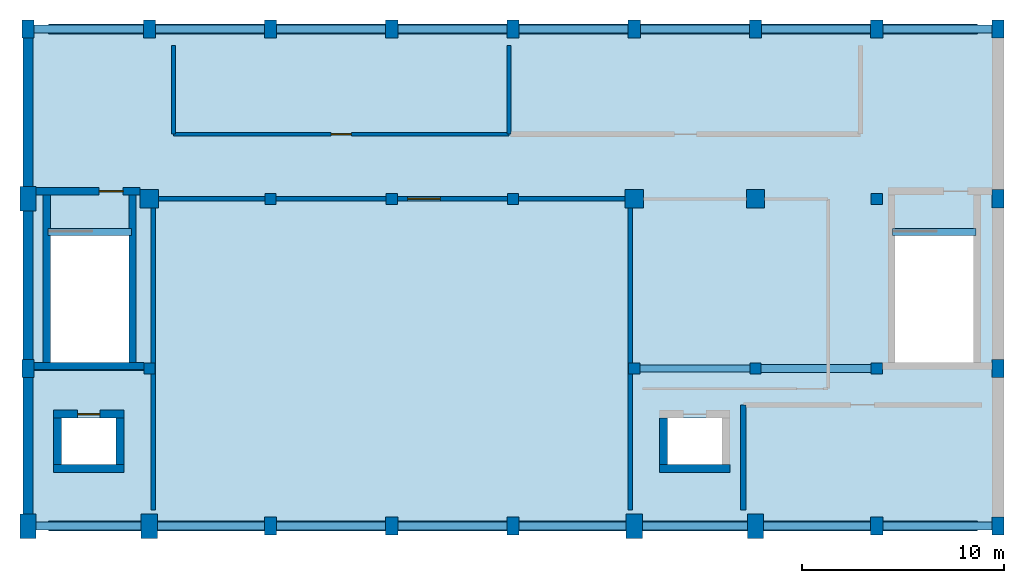
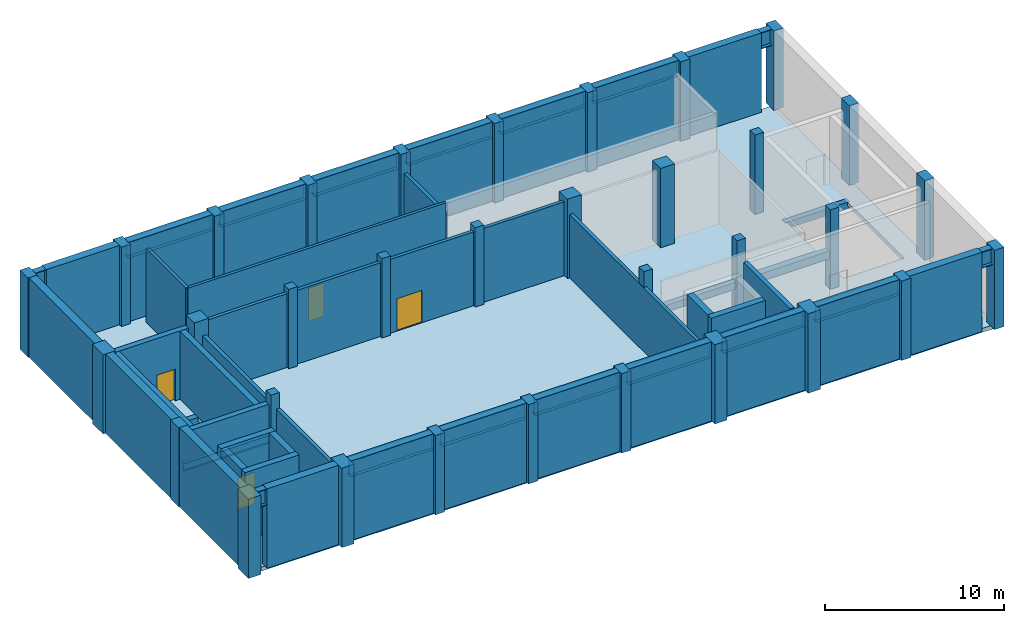
# One storey, part 1 of 3: 33 columns, 21 beams, 20 walls, 4 doors, 1 slab, 4 openings.
"""IFC4 building model written with IfcOpenShell, lengths in metres."""

from ifc_helpers import new_model, si_unit, direction, frame, frame_2d, origin, origin_2d, place, context, subcontext, project, spatial, polyline, rectangle, i_section, outline, extrude, material, layer, layer_set, material_profile, profile_set, type_object, element, fill, save


model = new_model("IFC4")

# Units and contexts
model_context = context("Model", 3, precision=1e-05, world=origin(), true_north=direction((0.0, 1.0)))
body_context = subcontext(model_context, "Body", "Model", "MODEL_VIEW")
ifc_project = project(units=[si_unit("LENGTHUNIT", "METRE"), si_unit("AREAUNIT", "SQUARE_METRE"), si_unit("VOLUMEUNIT", "CUBIC_METRE"), si_unit("PLANEANGLEUNIT", "RADIAN"), si_unit("MASSUNIT", "GRAM", prefix="KILO")], contexts=[model_context])

# Site, building, storey
site_placement = place(None, origin())
site = spatial("IfcSite", under=ifc_project, at=site_placement, CompositionType="ELEMENT")
building_placement = place(site_placement, origin())
building = spatial("IfcBuilding", under=site, at=building_placement, Name="Vaelkrest Opera House", CompositionType="ELEMENT")
storey_placement = place(building_placement, frame((0.0, 0.0, 36.0)))
storey = spatial("IfcBuildingStorey", under=building, at=storey_placement, Name="L07", CompositionType="ELEMENT", Elevation=36.0)

# Columns
ifc_material_1 = material(Name="Concrete C50/60", Category="concrete")
ifc_material_profile_1 = material_profile(ifc_material_1, rectangle(XDim=0.89990234375, YDim=0.89990234375, at=origin_2d()), Name="RC900X900")
ifc_profile_set_1 = profile_set([ifc_material_profile_1], Name="Concrete C50/60")
column_type_1 = type_object("IfcColumnType", Name="C05", PredefinedType="COLUMN", material=ifc_profile_set_1)
for number, where, z_axis, x_axis, name in (
    (1, (-12.0, 33.60009765625, 0.0), (0.0, 0.0, 1.0), (1.0, 0.0, 0.0), "Column COL-V2-L07-0797"),
    (2, (12.0, 33.60009765625, 0.0), (0.0, 0.0, 1.0), (1.0, 0.0, 0.0), "Column COL-V2-L07-0810"),
    (3, (18.0, 33.60009765625, 0.0), (0.0, 0.0, 1.0), (1.0, 0.0, 0.0), "Column COL-V2-L07-0814"),
):
    element("IfcColumn", number, at=place(storey_placement, frame(where, z_axis=z_axis, x_axis=x_axis)), inside=storey, type_object=column_type_1, Name=name, PredefinedType="COLUMN", context=body_context, shape_type="SweptSolid", body=[
        extrude(rectangle(XDim=0.89990234375, YDim=0.89990234375, at=origin_2d()), origin(), (0.0, 0.0, 1.0), 5.39990234375),
    ])
ifc_material_profile_2 = material_profile(ifc_material_1, rectangle(XDim=0.60009765625, YDim=0.89990234375, at=origin_2d()), Name="RC600X900")
ifc_profile_set_2 = profile_set([ifc_material_profile_2], Name="Concrete C50/60")
column_type_2 = type_object("IfcColumnType", Name="C06", PredefinedType="COLUMN", material=ifc_profile_set_2)
for number, where, z_axis, x_axis, name in (
    (4, (-18.0, 25.199951171875, 0.0), (0.0, 0.0, 1.0), (1.0, 0.0, 0.0), "Column COL-V2-L07-0792"),
    (5, (-18.0, 42.0, 0.0), (0.0, 0.0, 1.0), (1.0, 0.0, 0.0), "Column COL-V2-L07-0794"),
    (6, (-12.0, 42.0, 0.0), (0.0, 0.0, 1.0), (1.0, 0.0, 0.0), "Column COL-V2-L07-0798"),
    (7, (-6.0, 17.39990234375, 0.0), (0.0, 0.0, 1.0), (1.0, 0.0, 0.0), "Column COL-V2-L07-0799"),
    (8, (-6.0, 42.0, 0.0), (0.0, 0.0, 1.0), (1.0, 0.0, 0.0), "Column COL-V2-L07-0801"),
    (9, (0.0, 17.39990234375, 0.0), (0.0, 0.0, 1.0), (1.0, 0.0, 0.0), "Column COL-V2-L07-0802"),
    (10, (0.0, 42.0, 0.0), (0.0, 0.0, 1.0), (1.0, 0.0, 0.0), "Column COL-V2-L07-0804"),
    (11, (6.0, 17.39990234375, 0.0), (0.0, 0.0, 1.0), (1.0, 0.0, 0.0), "Column COL-V2-L07-0805"),
    (12, (6.0, 42.0, 0.0), (0.0, 0.0, 1.0), (1.0, 0.0, 0.0), "Column COL-V2-L07-0807"),
    (13, (12.0, 42.0, 0.0), (0.0, 0.0, 1.0), (1.0, 0.0, 0.0), "Column COL-V2-L07-0811"),
    (14, (18.0, 42.0, 0.0), (0.0, 0.0, 1.0), (1.0, 0.0, 0.0), "Column COL-V2-L07-0815"),
    (15, (24.0, 17.39990234375, 0.0), (0.0, 0.0, 1.0), (1.0, 0.0, 0.0), "Column COL-V2-L07-0816"),
    (16, (24.0, 42.0, 0.0), (0.0, 0.0, 1.0), (1.0, 0.0, 0.0), "Column COL-V2-L07-0819"),
    (17, (30.0, 17.39990234375, 0.0), (0.0, 0.0, 1.0), (1.0, 0.0, 0.0), "Column COL-V2-L07-0820"),
    (18, (30.0, 25.199951171875, 0.0), (0.0, 0.0, 1.0), (1.0, 0.0, 0.0), "Column COL-V2-L07-0821"),
    (19, (30.0, 33.60009765625, 0.0), (0.0, 0.0, 1.0), (1.0, 0.0, 0.0), "Column COL-V2-L07-0822"),
    (20, (30.0, 42.0, 0.0), (0.0, 0.0, 1.0), (1.0, 0.0, 0.0), "Column COL-V2-L07-0823"),
):
    element("IfcColumn", number, at=place(storey_placement, frame(where, z_axis=z_axis, x_axis=x_axis)), inside=storey, type_object=column_type_2, Name=name, PredefinedType="COLUMN", context=body_context, shape_type="SweptSolid", body=[
        extrude(rectangle(XDim=0.60009765625, YDim=0.89990234375, at=origin_2d()), origin(), (0.0, 0.0, 1.0), 5.39990234375),
    ])
ifc_material_profile_3 = material_profile(ifc_material_1, rectangle(XDim=0.800048828125, YDim=1.199951171875, at=origin_2d()), Name="RC800X1200")
ifc_profile_set_3 = profile_set([ifc_material_profile_3], Name="Concrete C50/60")
column_type_3 = type_object("IfcColumnType", Name="C08", PredefinedType="COLUMN", material=ifc_profile_set_3)
for number, where, z_axis, x_axis, name in (
    (21, (-18.0, 17.39990234375, 0.0), (0.0, 0.0, 1.0), (1.0, 0.0, 0.0), "Column COL-V2-L07-0791"),
    (22, (-18.0, 33.60009765625, 0.0), (0.0, 0.0, 1.0), (1.0, 0.0, 0.0), "Column COL-V2-L07-0793"),
    (23, (-12.0, 17.39990234375, 0.0), (0.0, 0.0, 1.0), (1.0, 0.0, 0.0), "Column COL-V2-L07-0795"),
    (24, (12.0, 17.39990234375, 0.0), (0.0, 0.0, 1.0), (1.0, 0.0, 0.0), "Column COL-V2-L07-0808"),
    (25, (18.0, 17.39990234375, 0.0), (0.0, 0.0, 1.0), (1.0, 0.0, 0.0), "Column COL-V2-L07-0812"),
):
    element("IfcColumn", number, at=place(storey_placement, frame(where, z_axis=z_axis, x_axis=x_axis)), inside=storey, type_object=column_type_3, Name=name, PredefinedType="COLUMN", context=body_context, shape_type="SweptSolid", body=[
        extrude(rectangle(XDim=0.800048828125, YDim=1.199951171875, at=origin_2d()), origin(), (0.0, 0.0, 1.0), 5.39990234375),
    ])
ifc_material_profile_4 = material_profile(ifc_material_1, rectangle(XDim=0.550048828125, YDim=0.550048828125, at=origin_2d()), Name="RC550X550")
ifc_profile_set_4 = profile_set([ifc_material_profile_4], Name="Concrete C50/60")
column_type_4 = type_object("IfcColumnType", Name="C13", PredefinedType="COLUMN", material=ifc_profile_set_4)
for number, where, z_axis, x_axis, name in (
    (26, (-12.0, 25.199951171875, 0.0), (0.0, 0.0, 1.0), (1.0, 0.0, 0.0), "Column COL-V2-L07-0796"),
    (27, (-6.0, 33.60009765625, 0.0), (0.0, 0.0, 1.0), (1.0, 0.0, 0.0), "Column COL-V2-L07-0800"),
    (28, (0.0, 33.60009765625, 0.0), (0.0, 0.0, 1.0), (1.0, 0.0, 0.0), "Column COL-V2-L07-0803"),
    (29, (6.0, 33.60009765625, 0.0), (0.0, 0.0, 1.0), (1.0, 0.0, 0.0), "Column COL-V2-L07-0806"),
    (30, (12.0, 25.199951171875, 0.0), (0.0, 0.0, 1.0), (1.0, 0.0, 0.0), "Column COL-V2-L07-0809"),
    (31, (18.0, 25.199951171875, 0.0), (0.0, 0.0, 1.0), (1.0, 0.0, 0.0), "Column COL-V2-L07-0813"),
    (32, (24.0, 25.199951171875, 0.0), (0.0, 0.0, 1.0), (1.0, 0.0, 0.0), "Column COL-V2-L07-0817"),
    (33, (24.0, 33.60009765625, 0.0), (0.0, 0.0, 1.0), (1.0, 0.0, 0.0), "Column COL-V2-L07-0818"),
):
    element("IfcColumn", number, at=place(storey_placement, frame(where, z_axis=z_axis, x_axis=x_axis)), inside=storey, type_object=column_type_4, Name=name, PredefinedType="COLUMN", context=body_context, shape_type="SweptSolid", body=[
        extrude(rectangle(XDim=0.550048828125, YDim=0.550048828125, at=origin_2d()), origin(), (0.0, 0.0, 1.0), 5.39990234375),
    ])

# Beams
ifc_material_profile_5 = material_profile(ifc_material_1, rectangle(XDim=0.35009765625, YDim=0.449951171875, at=origin_2d()), Name="RCB350X450")
ifc_profile_set_5 = profile_set([ifc_material_profile_5], Name="Concrete C50/60")
beam_type_1 = type_object("IfcBeamType", Name="LN01", PredefinedType="LINTEL", material=ifc_profile_set_5)
beam_1_placement = place(storey_placement, frame((12.25, 25.199951171875, 2.300048828125), z_axis=(1.0, 0.0, 0.0), x_axis=(0.0, 1.0, 0.0)))
element("IfcBeam", 34, at=beam_1_placement, inside=storey, type_object=beam_type_1, Name="Portal lintel L07-1", PredefinedType="LINTEL", context=body_context, shape_type="SweptSolid", body=[
    extrude(rectangle(XDim=0.35009765625, YDim=0.449951171875, at=origin_2d()), origin(), (0.0, 0.0, 1.0), 5.5),
])
beam_2_placement = place(storey_placement, frame((-17.02001953125, 31.949951171875, -0.22509765625), z_axis=(1.0, 0.0, 0.0), x_axis=(0.0, 1.0, 0.0)))
element("IfcBeam", 35, at=beam_2_placement, inside=storey, type_object=beam_type_1, Name="Stairwell trimmer beam ST05 L07", PredefinedType="LINTEL", context=body_context, shape_type="SweptSolid", body=[
    extrude(rectangle(XDim=0.35009765625, YDim=0.449951171875, at=origin_2d()), origin(), (0.0, 0.0, 1.0), 4.14013671875),
])
beam_3_placement = place(storey_placement, frame((24.780029296875, 31.949951171875, -0.22509765625), z_axis=(1.0, 0.0, 0.0), x_axis=(0.0, 1.0, 0.0)))
element("IfcBeam", 36, at=beam_3_placement, inside=storey, type_object=beam_type_1, Name="Stairwell trimmer beam ST06 L07", PredefinedType="LINTEL", context=body_context, shape_type="SweptSolid", body=[
    extrude(rectangle(XDim=0.35009765625, YDim=0.449951171875, at=origin_2d()), origin(), (0.0, 0.0, 1.0), 4.139892578125),
])
ifc_material_profile_6 = material_profile(ifc_material_1, rectangle(XDim=0.39990234375, YDim=0.52001953125, at=origin_2d()), Name="RCB400X520")
ifc_profile_set_6 = profile_set([ifc_material_profile_6], Name="Concrete C50/60")
beam_type_2 = type_object("IfcBeamType", Name="LN02", PredefinedType="LINTEL", material=ifc_profile_set_6)
beam_4_placement = place(storey_placement, frame((18.25, 25.199951171875, 2.300048828125), z_axis=(1.0, 0.0, 0.0), x_axis=(0.0, 1.0, 0.0)))
element("IfcBeam", 37, at=beam_4_placement, inside=storey, type_object=beam_type_2, Name="Portal lintel L07-2", PredefinedType="LINTEL", context=body_context, shape_type="SweptSolid", body=[
    extrude(rectangle(XDim=0.39990234375, YDim=0.52001953125, at=origin_2d()), origin(), (0.0, 0.0, 1.0), 5.5),
])
ifc_material_2 = material(Name="Steel A992 Gr50", Category="steel")
ifc_material_profile_7 = material_profile(ifc_material_2, i_section(OverallWidth=0.214111328125, OverallDepth=0.549072265625, WebThickness=0.0146484375, FlangeThickness=0.023681640625, at=origin_2d()), Name="W21X93")
ifc_profile_set_7 = profile_set([ifc_material_profile_7], Name="Steel A992 Gr50")
beam_type_3 = type_object("IfcBeamType", Name="LN03", PredefinedType="LINTEL", material=ifc_profile_set_7)
beam_5_placement = place(storey_placement, frame((-17.75, 25.199951171875, 2.300048828125), z_axis=(1.0, 0.0, 0.0), x_axis=(0.0, 1.0, 0.0)))
element("IfcBeam", 38, at=beam_5_placement, inside=storey, type_object=beam_type_3, Name="Portal lintel L07-3", PredefinedType="LINTEL", context=body_context, shape_type="SweptSolid", body=[
    extrude(i_section(OverallWidth=0.214111328125, OverallDepth=0.549072265625, WebThickness=0.0146484375, FlangeThickness=0.023681640625, at=origin_2d()), origin(), (0.0, 0.0, 1.0), 5.5),
])
ifc_material_profile_8 = material_profile(ifc_material_2, i_section(OverallWidth=0.405029296875, OverallDepth=1.117919921875, WebThickness=0.02587890625, FlangeThickness=0.044921875, at=origin_2d()), Name="W44X335")
ifc_profile_set_8 = profile_set([ifc_material_profile_8], Name="Steel A992 Gr50")
beam_type_4 = type_object("IfcBeamType", Name="SP05", PredefinedType="SPANDREL", material=ifc_profile_set_8)
beam_6_placement = place(storey_placement, frame((-17.60009765625, 17.39990234375, 4.821044921875), z_axis=(1.0, 0.0, 0.0), x_axis=(0.0, 1.0, 0.0)))
element("IfcBeam", 39, at=beam_6_placement, inside=storey, type_object=beam_type_4, Name="Beam BM-V2-L07-1262", PredefinedType="SPANDREL", context=body_context, shape_type="SweptSolid", body=[
    extrude(i_section(OverallWidth=0.405029296875, OverallDepth=1.117919921875, WebThickness=0.02587890625, FlangeThickness=0.044921875, at=origin_2d()), origin(), (0.0, 0.0, 1.0), 5.2001953125),
])
beam_7_placement = place(storey_placement, frame((-11.60009765625, 17.39990234375, 4.821044921875), z_axis=(1.0, 0.0, 0.0), x_axis=(0.0, 1.0, 0.0)))
element("IfcBeam", 40, at=beam_7_placement, inside=storey, type_object=beam_type_4, Name="Beam BM-V2-L07-1263", PredefinedType="SPANDREL", context=body_context, shape_type="SweptSolid", body=[
    extrude(i_section(OverallWidth=0.405029296875, OverallDepth=1.117919921875, WebThickness=0.02587890625, FlangeThickness=0.044921875, at=origin_2d()), origin(), (0.0, 0.0, 1.0), 5.300048828125),
])
for number, where, z_axis, x_axis, name in (
    (41, (-5.699951171875, 17.39990234375, 4.821044921875), (1.0, 0.0, 0.0), (0.0, 1.0, 0.0), "Beam BM-V2-L07-1264"),
    (42, (0.300048828125, 17.39990234375, 4.821044921875), (1.0, 0.0, 0.0), (0.0, 1.0, 0.0), "Beam BM-V2-L07-1265"),
):
    element("IfcBeam", number, at=place(storey_placement, frame(where, z_axis=z_axis, x_axis=x_axis)), inside=storey, type_object=beam_type_4, Name=name, PredefinedType="SPANDREL", context=body_context, shape_type="SweptSolid", body=[
        extrude(i_section(OverallWidth=0.405029296875, OverallDepth=1.117919921875, WebThickness=0.02587890625, FlangeThickness=0.044921875, at=origin_2d()), origin(), (0.0, 0.0, 1.0), 5.39990234375),
    ])
beam_8_placement = place(storey_placement, frame((6.300048828125, 17.39990234375, 4.821044921875), z_axis=(1.0, 0.0, 0.0), x_axis=(0.0, 1.0, 0.0)))
element("IfcBeam", 43, at=beam_8_placement, inside=storey, type_object=beam_type_4, Name="Beam BM-V2-L07-1266", PredefinedType="SPANDREL", context=body_context, shape_type="SweptSolid", body=[
    extrude(i_section(OverallWidth=0.405029296875, OverallDepth=1.117919921875, WebThickness=0.02587890625, FlangeThickness=0.044921875, at=origin_2d()), origin(), (0.0, 0.0, 1.0), 5.300048828125),
])
beam_9_placement = place(storey_placement, frame((12.39990234375, 17.39990234375, 4.821044921875), z_axis=(1.0, 0.0, 0.0), x_axis=(0.0, 1.0, 0.0)))
element("IfcBeam", 44, at=beam_9_placement, inside=storey, type_object=beam_type_4, Name="Beam BM-V2-L07-1267", PredefinedType="SPANDREL", context=body_context, shape_type="SweptSolid", body=[
    extrude(i_section(OverallWidth=0.405029296875, OverallDepth=1.117919921875, WebThickness=0.02587890625, FlangeThickness=0.044921875, at=origin_2d()), origin(), (0.0, 0.0, 1.0), 5.2001953125),
])
beam_10_placement = place(storey_placement, frame((18.39990234375, 17.39990234375, 4.821044921875), z_axis=(1.0, 0.0, 0.0), x_axis=(0.0, 1.0, 0.0)))
element("IfcBeam", 45, at=beam_10_placement, inside=storey, type_object=beam_type_4, Name="Beam BM-V2-L07-1268", PredefinedType="SPANDREL", context=body_context, shape_type="SweptSolid", body=[
    extrude(i_section(OverallWidth=0.405029296875, OverallDepth=1.117919921875, WebThickness=0.02587890625, FlangeThickness=0.044921875, at=origin_2d()), origin(), (0.0, 0.0, 1.0), 5.300048828125),
])
for number, where, z_axis, x_axis, name in (
    (46, (24.300048828125, 17.39990234375, 4.821044921875), (1.0, 0.0, 0.0), (0.0, 1.0, 0.0), "Beam BM-V2-L07-1269"),
    (47, (-17.699951171875, 42.0, 4.821044921875), (1.0, 0.0, 0.0), (0.0, 1.0, 0.0), "Beam BM-V2-L07-1270"),
    (48, (-11.699951171875, 42.0, 4.821044921875), (1.0, 0.0, 0.0), (0.0, 1.0, 0.0), "Beam BM-V2-L07-1271"),
    (49, (-5.699951171875, 42.0, 4.821044921875), (1.0, 0.0, 0.0), (0.0, 1.0, 0.0), "Beam BM-V2-L07-1272"),
    (50, (0.300048828125, 42.0, 4.821044921875), (1.0, 0.0, 0.0), (0.0, 1.0, 0.0), "Beam BM-V2-L07-1273"),
    (51, (6.300048828125, 42.0, 4.821044921875), (1.0, 0.0, 0.0), (0.0, 1.0, 0.0), "Beam BM-V2-L07-1274"),
    (52, (12.300048828125, 42.0, 4.821044921875), (1.0, 0.0, 0.0), (0.0, 1.0, 0.0), "Beam BM-V2-L07-1275"),
    (53, (18.300048828125, 42.0, 4.821044921875), (1.0, 0.0, 0.0), (0.0, 1.0, 0.0), "Beam BM-V2-L07-1276"),
    (54, (24.300048828125, 42.0, 4.821044921875), (1.0, 0.0, 0.0), (0.0, 1.0, 0.0), "Beam BM-V2-L07-1277"),
):
    element("IfcBeam", number, at=place(storey_placement, frame(where, z_axis=z_axis, x_axis=x_axis)), inside=storey, type_object=beam_type_4, Name=name, PredefinedType="SPANDREL", context=body_context, shape_type="SweptSolid", body=[
        extrude(i_section(OverallWidth=0.405029296875, OverallDepth=1.117919921875, WebThickness=0.02587890625, FlangeThickness=0.044921875, at=origin_2d()), origin(), (0.0, 0.0, 1.0), 5.39990234375),
    ])

# Slab
ifc_material_3 = material(Name="Concrete C40/50", Category="concrete")
ifc_layer_1 = layer(ifc_material_3, 0.264892578125)
ifc_layer_set_1 = layer_set([ifc_layer_1], Name="Concrete C40/50")
slab_type = type_object("IfcSlabType", Name="FS02", PredefinedType="FLOOR", material=ifc_layer_set_1)
slab_placement = place(storey_placement, frame((0.0, 0.0, -0.264892578125)))
element("IfcSlab", 55, at=slab_placement, inside=storey, type_object=slab_type, Name="Floor slab SLB-V2-L07-017", PredefinedType="FLOOR", context=body_context, shape_type="SweptSolid", body=[
    extrude(outline(polyline([(-18.0, 17.39990234375), (30.0, 17.39990234375), (30.0, 42.0), (-18.0, 42.0), (-18.0, 17.39990234375)]), holes=[polyline([(-16.89990234375, 31.949951171875), (-16.89990234375, 25.5), (-13.0, 25.5), (-13.0, 31.949951171875), (-16.89990234375, 31.949951171875)]), polyline([(24.89990234375, 31.949951171875), (24.89990234375, 25.5), (28.800048828125, 25.5), (28.800048828125, 31.949951171875), (24.89990234375, 31.949951171875)]), polyline([(-16.35009765625, 20.449951171875), (-13.64990234375, 20.449951171875), (-13.64990234375, 22.75), (-16.35009765625, 22.75), (-16.35009765625, 20.449951171875)]), polyline([(13.64990234375, 20.449951171875), (16.35009765625, 20.449951171875), (16.35009765625, 22.75), (13.64990234375, 22.75), (13.64990234375, 20.449951171875)])]), origin(), (0.0, 0.0, 1.0), 0.264892578125),
])

# Wall, opening, door
ifc_material_4 = material(Name="Gypsum acoustic board", Category="gypsum")
ifc_layer_2 = layer(ifc_material_4, 0.179931640625)
ifc_layer_set_2 = layer_set([ifc_layer_2], Name="Gypsum acoustic board")
wall_type_1 = type_object("IfcWallType", Name="PT05", PredefinedType="PARTITIONING", material=ifc_layer_set_2)
wall_1_placement = place(storey_placement, frame((-10.800048828125, 36.800048828125, 0.0), z_axis=(0.0, 0.0, 1.0), x_axis=(1.0, 0.0, 0.0)))
wall_1 = element("IfcWall", 56, at=wall_1_placement, inside=storey, type_object=wall_type_1, Name="Interior partition PT-V2-L07-0257", PredefinedType="PARTITIONING", context=body_context, shape_type="SweptSolid", body=[
    extrude(rectangle(XDim=16.60009765625, YDim=0.179931640625, at=frame_2d((8.300048828125, 0.0))), origin(), (0.0, 0.0, 1.0), 5.02001953125),
])
opening_1_placement = place(wall_1_placement, frame((7.800048828125, 0.0, 0.0)))
opening_1 = element("IfcOpeningElement", 57, at=opening_1_placement, cuts=wall_1, Name="Opening D099", PredefinedType="OPENING", context=body_context, shape_type="SweptSolid", body=[
    extrude(rectangle(XDim=1.0, YDim=2.25, at=frame_2d((0.5, 1.125))), frame((0.0, 0.099853515625, 0.0), z_axis=(0.0, -1.0, 0.0), x_axis=(1.0, 0.0, 0.0)), (0.0, 0.0, 1.0), 0.199951171875),
])
ifc_material_5 = material(Name="American black walnut acoustic timber", Category="wood")
door_type_1 = type_object("IfcDoorType", Name="DT10", OperationType="NOTDEFINED", PredefinedType="DOOR", material=ifc_material_5)
door_1_placement = place(opening_1_placement, origin())
door_1 = element("IfcDoor", 58, at=door_1_placement, inside=storey, type_object=door_type_1, Name="Interior door D099 (Acoustic Plenum)", OperationType="SINGLE_SWING_RIGHT", OverallHeight=2.25, OverallWidth=1.0, PredefinedType="DOOR", context=body_context, shape_type="SweptSolid", body=[
    extrude(rectangle(XDim=1.0, YDim=2.25, at=frame_2d((0.5, 1.125))), frame((0.0, 0.02490234375, 0.0), z_axis=(0.0, -1.0, 0.0), x_axis=(1.0, 0.0, 0.0)), (0.0, 0.0, 1.0), 0.050048828125),
])
fill(opening_1, door_1)

# Wall
ifc_layer_3 = layer(ifc_material_4, 0.195068359375)
ifc_layer_set_3 = layer_set([ifc_layer_3], Name="Gypsum acoustic board")
wall_type_2 = type_object("IfcWallType", Name="PT06", PredefinedType="PARTITIONING", material=ifc_layer_set_3)
wall_2_placement = place(storey_placement, frame((-10.800048828125, 36.800048828125, 0.0), z_axis=(0.0, 0.0, 1.0), x_axis=(0.0, 1.0, 0.0)))
element("IfcWall", 59, at=wall_2_placement, inside=storey, type_object=wall_type_2, Name="Interior partition PT-V2-L07-0258", PredefinedType="PARTITIONING", context=body_context, shape_type="SweptSolid", body=[
    extrude(rectangle(XDim=4.39990234375, YDim=0.195068359375, at=frame_2d((2.199951171875, 0.0))), origin(), (0.0, 0.0, 1.0), 5.02001953125),
])

# Wall, opening, door
ifc_layer_4 = layer(ifc_material_5, 0.2099609375)
ifc_layer_set_4 = layer_set([ifc_layer_4], Name="American black walnut acoustic timber")
wall_type_3 = type_object("IfcWallType", Name="PT07", PredefinedType="PARTITIONING", material=ifc_layer_set_4)
wall_3_placement = place(storey_placement, frame((-11.800048828125, 33.60009765625, 0.0), z_axis=(0.0, 0.0, 1.0), x_axis=(1.0, 0.0, 0.0)))
wall_3 = element("IfcWall", 60, at=wall_3_placement, inside=storey, type_object=wall_type_3, Name="Interior partition PT-V2-L07-0251", PredefinedType="PARTITIONING", context=body_context, shape_type="SweptSolid", body=[
    extrude(rectangle(XDim=23.60009765625, YDim=0.2099609375, at=frame_2d((11.800048828125, 0.0))), origin(), (0.0, 0.0, 1.0), 5.02001953125),
])
opening_2_placement = place(wall_3_placement, frame((12.590087890625, 0.0, 0.0)))
opening_2 = element("IfcOpeningElement", 61, at=opening_2_placement, cuts=wall_3, Name="Opening D097", PredefinedType="OPENING", context=body_context, shape_type="SweptSolid", body=[
    extrude(rectangle(XDim=1.6201171875, YDim=2.199951171875, at=frame_2d((0.81005859375, 1.10009765625))), frame((0.0, 0.114990234375, 0.0), z_axis=(0.0, -1.0, 0.0), x_axis=(1.0, 0.0, 0.0)), (0.0, 0.0, 1.0), 0.22998046875),
])
door_type_2 = type_object("IfcDoorType", Name="DT19", OperationType="DOUBLE_DOOR_SINGLE_SWING", PredefinedType="DOOR", material=ifc_material_5)
door_2_placement = place(opening_2_placement, origin())
door_2 = element("IfcDoor", 62, at=door_2_placement, inside=storey, type_object=door_type_2, Name="Interior door D097 (Gridiron Deck)", OperationType="DOUBLE_DOOR_SINGLE_SWING", OverallHeight=2.199951171875, OverallWidth=1.6201171875, PredefinedType="DOOR", context=body_context, shape_type="SweptSolid", body=[
    extrude(rectangle(XDim=1.6201171875, YDim=2.199951171875, at=frame_2d((0.81005859375, 1.10009765625))), frame((0.0, 0.02490234375, 0.0), z_axis=(0.0, -1.0, 0.0), x_axis=(1.0, 0.0, 0.0)), (0.0, 0.0, 1.0), 0.050048828125),
])
fill(opening_2, door_2)

# Walls
wall_4_placement = place(storey_placement, frame((11.800048828125, 18.199951171875, 0.0), z_axis=(0.0, 0.0, 1.0), x_axis=(0.0, 1.0, 0.0)))
element("IfcWall", 63, at=wall_4_placement, inside=storey, type_object=wall_type_3, Name="Interior partition PT-V2-L07-0253", PredefinedType="PARTITIONING", context=body_context, shape_type="SweptSolid", body=[
    extrude(rectangle(XDim=15.400146484375, YDim=0.2099609375, at=frame_2d((7.7001953125, 0.0))), origin(), (0.0, 0.0, 1.0), 4.330078125),
])
wall_5_placement = place(storey_placement, frame((5.800048828125, 36.800048828125, 0.0), z_axis=(0.0, 0.0, 1.0), x_axis=(0.0, 1.0, 0.0)))
element("IfcWall", 64, at=wall_5_placement, inside=storey, type_object=wall_type_3, Name="Interior partition PT-V2-L07-0259", PredefinedType="PARTITIONING", context=body_context, shape_type="SweptSolid", body=[
    extrude(rectangle(XDim=4.39990234375, YDim=0.2099609375, at=frame_2d((2.199951171875, 0.0))), origin(), (0.0, 0.0, 1.0), 4.330078125),
])
ifc_layer_5 = layer(ifc_material_5, 0.22509765625)
ifc_layer_set_5 = layer_set([ifc_layer_5], Name="American black walnut acoustic timber")
wall_type_4 = type_object("IfcWallType", Name="PT08", PredefinedType="PARTITIONING", material=ifc_layer_set_5)
wall_6_placement = place(storey_placement, frame((-11.800048828125, 18.199951171875, 0.0), z_axis=(0.0, 0.0, 1.0), x_axis=(0.0, 1.0, 0.0)))
element("IfcWall", 65, at=wall_6_placement, inside=storey, type_object=wall_type_4, Name="Interior partition PT-V2-L07-0252", PredefinedType="PARTITIONING", context=body_context, shape_type="SweptSolid", body=[
    extrude(rectangle(XDim=15.400146484375, YDim=0.22509765625, at=frame_2d((7.7001953125, 0.0))), origin(), (0.0, 0.0, 1.0), 4.330078125),
])
ifc_layer_6 = layer(ifc_material_3, 0.280029296875)
ifc_layer_set_6 = layer_set([ifc_layer_6], Name="Concrete C40/50")
wall_type_5 = type_object("IfcWallType", Name="PT11", PredefinedType="PARTITIONING", material=ifc_layer_set_6)
wall_7_placement = place(storey_placement, frame((17.39990234375, 18.199951171875, 0.0), z_axis=(0.0, 0.0, 1.0), x_axis=(0.0, 1.0, 0.0)))
element("IfcWall", 66, at=wall_7_placement, inside=storey, type_object=wall_type_5, Name="Interior partition PT-V2-L07-0263", PredefinedType="PARTITIONING", context=body_context, shape_type="SweptSolid", body=[
    extrude(rectangle(XDim=5.199951171875, YDim=0.280029296875, at=frame_2d((2.60009765625, 0.0))), origin(), (0.0, 0.0, 1.0), 5.02001953125),
])
ifc_layer_7 = layer(ifc_material_1, 0.35009765625)
ifc_layer_set_7 = layer_set([ifc_layer_7], Name="Concrete C50/60")
wall_type_6 = type_object("IfcWallType", Name="SW01", PredefinedType="SHEAR", material=ifc_layer_set_7)
wall_8_placement = place(storey_placement, frame((-12.27490234375, 25.324951171875, 0.0), z_axis=(0.0, 0.0, 1.0), x_axis=(-1.0, 0.0, 0.0)))
element("IfcWall", 67, at=wall_8_placement, inside=storey, type_object=wall_type_6, Name="Stair core ST05 wall L07 S", PredefinedType="SHEAR", context=body_context, shape_type="SweptSolid", body=[
    extrude(rectangle(XDim=5.425048828125, YDim=0.35009765625, at=frame_2d((2.71240234375, 0.0))), origin(), (0.0, 0.0, 1.0), 4.64501953125),
])
wall_9_placement = place(storey_placement, frame((-17.074951171875, 25.5, 0.0), z_axis=(0.0, 0.0, 1.0), x_axis=(0.0, 1.0, 0.0)))
element("IfcWall", 68, at=wall_9_placement, inside=storey, type_object=wall_type_6, Name="Stair core ST05 wall L07 W", PredefinedType="SHEAR", context=body_context, shape_type="SweptSolid", body=[
    extrude(rectangle(XDim=8.300048828125, YDim=0.35009765625, at=frame_2d((4.14990234375, 0.0))), origin(), (0.0, 0.0, 1.0), 4.64501953125),
])

# Wall, opening, door
wall_10_placement = place(storey_placement, frame((-17.60009765625, 33.97509765625, 0.0), z_axis=(0.0, 0.0, 1.0), x_axis=(1.0, 0.0, 0.0)))
wall_10 = element("IfcWall", 69, at=wall_10_placement, inside=storey, type_object=wall_type_6, Name="Stair core ST05 wall L07 N", PredefinedType="SHEAR", context=body_context, shape_type="SweptSolid", body=[
    extrude(rectangle(XDim=5.150146484375, YDim=0.35009765625, at=frame_2d((2.5751953125, 0.0))), origin(), (0.0, 0.0, 1.0), 4.64501953125),
])
opening_3_placement = place(wall_10_placement, frame((3.1201171875, 0.0, 0.0)))
opening_3 = element("IfcOpeningElement", 70, at=opening_3_placement, cuts=wall_10, Name="Opening SD-ST05-L07", PredefinedType="OPENING", context=body_context, shape_type="SweptSolid", body=[
    extrude(rectangle(XDim=1.179931640625, YDim=2.14990234375, at=frame_2d((0.58984375, 1.074951171875))), frame((0.0, 0.18505859375, 0.0), z_axis=(0.0, -1.0, 0.0), x_axis=(1.0, 0.0, 0.0)), (0.0, 0.0, 1.0), 0.3701171875),
])
door_type_3 = type_object("IfcDoorType", Name="DT07", OperationType="NOTDEFINED", PredefinedType="DOOR", material=ifc_material_5)
door_3_placement = place(opening_3_placement, origin())
door_3 = element("IfcDoor", 71, at=door_3_placement, inside=storey, type_object=door_type_3, Name="Protected stair door SD-ST05-L07", OperationType="SINGLE_SWING_RIGHT", OverallHeight=2.14990234375, OverallWidth=1.179931640625, PredefinedType="DOOR", context=body_context, shape_type="SweptSolid", body=[
    extrude(rectangle(XDim=1.179931640625, YDim=2.14990234375, at=frame_2d((0.58984375, 1.074951171875))), frame((0.0, 0.02490234375, 0.0), z_axis=(0.0, -1.0, 0.0), x_axis=(1.0, 0.0, 0.0)), (0.0, 0.0, 1.0), 0.050048828125),
])
fill(opening_3, door_3)

# Walls
wall_11_placement = place(storey_placement, frame((-12.824951171875, 33.800048828125, 0.0), z_axis=(0.0, 0.0, 1.0), x_axis=(0.0, -1.0, 0.0)))
element("IfcWall", 72, at=wall_11_placement, inside=storey, type_object=wall_type_6, Name="Stair core ST05 wall L07 E", PredefinedType="SHEAR", context=body_context, shape_type="SweptSolid", body=[
    extrude(rectangle(XDim=8.300048828125, YDim=0.35009765625, at=frame_2d((4.14990234375, 0.0))), origin(), (0.0, 0.0, 1.0), 4.64501953125),
])
ifc_layer_8 = layer(ifc_material_1, 0.389892578125)
ifc_layer_set_8 = layer_set([ifc_layer_8], Name="Concrete C50/60")
wall_type_7 = type_object("IfcWallType", Name="SW02", PredefinedType="SHEAR", material=ifc_layer_set_8)
wall_12_placement = place(storey_placement, frame((-13.260009765625, 20.2548828125, 0.0), z_axis=(0.0, 0.0, 1.0), x_axis=(-1.0, 0.0, 0.0)))
element("IfcWall", 73, at=wall_12_placement, inside=storey, type_object=wall_type_7, Name="Lift shaft LF01 wall L07 S", PredefinedType="SHEAR", context=body_context, shape_type="SweptSolid", body=[
    extrude(rectangle(XDim=3.47998046875, YDim=0.389892578125, at=frame_2d((1.739990234375, 0.0))), origin(), (0.0, 0.0, 1.0), 4.64501953125),
])

# Wall, opening, door
wall_13_placement = place(storey_placement, frame((-16.739990234375, 22.945068359375, 0.0), z_axis=(0.0, 0.0, 1.0), x_axis=(1.0, 0.0, 0.0)))
wall_13 = element("IfcWall", 74, at=wall_13_placement, inside=storey, type_object=wall_type_7, Name="Lift shaft LF01 wall L07 N", PredefinedType="SHEAR", context=body_context, shape_type="SweptSolid", body=[
    extrude(rectangle(XDim=3.47998046875, YDim=0.389892578125, at=frame_2d((1.739990234375, 0.0))), origin(), (0.0, 0.0, 1.0), 4.64501953125),
])
opening_4_placement = place(wall_13_placement, frame((1.18994140625, 0.0, 0.0)))
opening_4 = element("IfcOpeningElement", 75, at=opening_4_placement, cuts=wall_13, Name="Opening LD-LF01-L07", PredefinedType="OPENING", context=body_context, shape_type="SweptSolid", body=[
    extrude(rectangle(XDim=1.10009765625, YDim=2.14990234375, at=frame_2d((0.550048828125, 1.074951171875))), frame((0.0, 0.204833984375, 0.0), z_axis=(0.0, -1.0, 0.0), x_axis=(1.0, 0.0, 0.0)), (0.0, 0.0, 1.0), 0.409912109375),
])
ifc_material_6 = material(Name="Dark bronze anodized aluminium", Category="aluminium")
door_type_4 = type_object("IfcDoorType", Name="LDT01", OperationType="SLIDING_TO_LEFT", PredefinedType="DOOR", material=ifc_material_6)
door_4_placement = place(opening_4_placement, origin())
door_4 = element("IfcDoor", 76, at=door_4_placement, inside=storey, type_object=door_type_4, Name="Lift landing sliding door LD-LF01-L07", OperationType="SLIDING_TO_LEFT", OverallHeight=2.14990234375, OverallWidth=1.10009765625, PredefinedType="DOOR", context=body_context, shape_type="SweptSolid", body=[
    extrude(rectangle(XDim=1.10009765625, YDim=2.14990234375, at=frame_2d((0.550048828125, 1.074951171875))), frame((0.0, 0.02490234375, 0.0), z_axis=(0.0, -1.0, 0.0), x_axis=(1.0, 0.0, 0.0)), (0.0, 0.0, 1.0), 0.050048828125),
])
fill(opening_4, door_4)

# Walls
for number, where, z_axis, x_axis, name in (
    (77, (-16.544921875, 20.449951171875, 0.0), (0.0, 0.0, 1.0), (0.0, 1.0, 0.0), "Lift shaft LF01 wall L07 W"),
    (78, (-13.455078125, 22.75, 0.0), (0.0, 0.0, 1.0), (0.0, -1.0, 0.0), "Lift shaft LF01 wall L07 E"),
):
    element("IfcWall", number, at=place(storey_placement, frame(where, z_axis=z_axis, x_axis=x_axis)), inside=storey, type_object=wall_type_7, Name=name, PredefinedType="SHEAR", context=body_context, shape_type="SweptSolid", body=[
        extrude(rectangle(XDim=2.300048828125, YDim=0.389892578125, at=frame_2d((1.14990234375, 0.0))), origin(), (0.0, 0.0, 1.0), 4.64501953125),
    ])
wall_14_placement = place(storey_placement, frame((16.739990234375, 20.2548828125, 0.0), z_axis=(0.0, 0.0, 1.0), x_axis=(-1.0, 0.0, 0.0)))
element("IfcWall", 79, at=wall_14_placement, inside=storey, type_object=wall_type_7, Name="Lift shaft LF02 wall L07 S", PredefinedType="SHEAR", context=body_context, shape_type="SweptSolid", body=[
    extrude(rectangle(XDim=3.47998046875, YDim=0.389892578125, at=frame_2d((1.739990234375, 0.0))), origin(), (0.0, 0.0, 1.0), 4.64501953125),
])
wall_15_placement = place(storey_placement, frame((13.455078125, 20.449951171875, 0.0), z_axis=(0.0, 0.0, 1.0), x_axis=(0.0, 1.0, 0.0)))
element("IfcWall", 80, at=wall_15_placement, inside=storey, type_object=wall_type_7, Name="Lift shaft LF02 wall L07 W", PredefinedType="SHEAR", context=body_context, shape_type="SweptSolid", body=[
    extrude(rectangle(XDim=2.300048828125, YDim=0.389892578125, at=frame_2d((1.14990234375, 0.0))), origin(), (0.0, 0.0, 1.0), 4.64501953125),
])
ifc_layer_9 = layer(ifc_material_1, 0.5)
ifc_layer_set_9 = layer_set([ifc_layer_9], Name="Concrete C50/60")
wall_type_8 = type_object("IfcWallType", Name="SW05", PredefinedType="SHEAR", material=ifc_layer_set_9)
wall_16_placement = place(storey_placement, frame((-18.0, 18.0, 0.0), z_axis=(0.0, 0.0, 1.0), x_axis=(0.0, 1.0, 0.0)))
element("IfcWall", 81, at=wall_16_placement, inside=storey, type_object=wall_type_8, Name="Fly tower west shear wall L07", PredefinedType="SHEAR", context=body_context, shape_type="SweptSolid", body=[
    extrude(rectangle(XDim=23.550048828125, YDim=0.5, at=frame_2d((11.77490234375, 0.0))), origin(), (0.0, 0.0, 1.0), 5.39990234375),
])
for number, where, z_axis, x_axis, name in (
    (82, (-17.0, 42.0, 0.0), (0.0, 0.0, 1.0), (1.0, 0.0, 0.0), "Fly tower north shear wall L07"),
    (83, (-17.0, 17.39990234375, 0.0), (0.0, 0.0, 1.0), (1.0, 0.0, 0.0), "Proscenium shear wall L07"),
):
    element("IfcWall", number, at=place(storey_placement, frame(where, z_axis=z_axis, x_axis=x_axis)), inside=storey, type_object=wall_type_8, Name=name, PredefinedType="SHEAR", context=body_context, shape_type="SweptSolid", body=[
        extrude(rectangle(XDim=46.0, YDim=0.5, at=frame_2d((23.0, 0.0))), origin(), (0.0, 0.0, 1.0), 5.39990234375),
    ])

save(model, "model.ifc")
